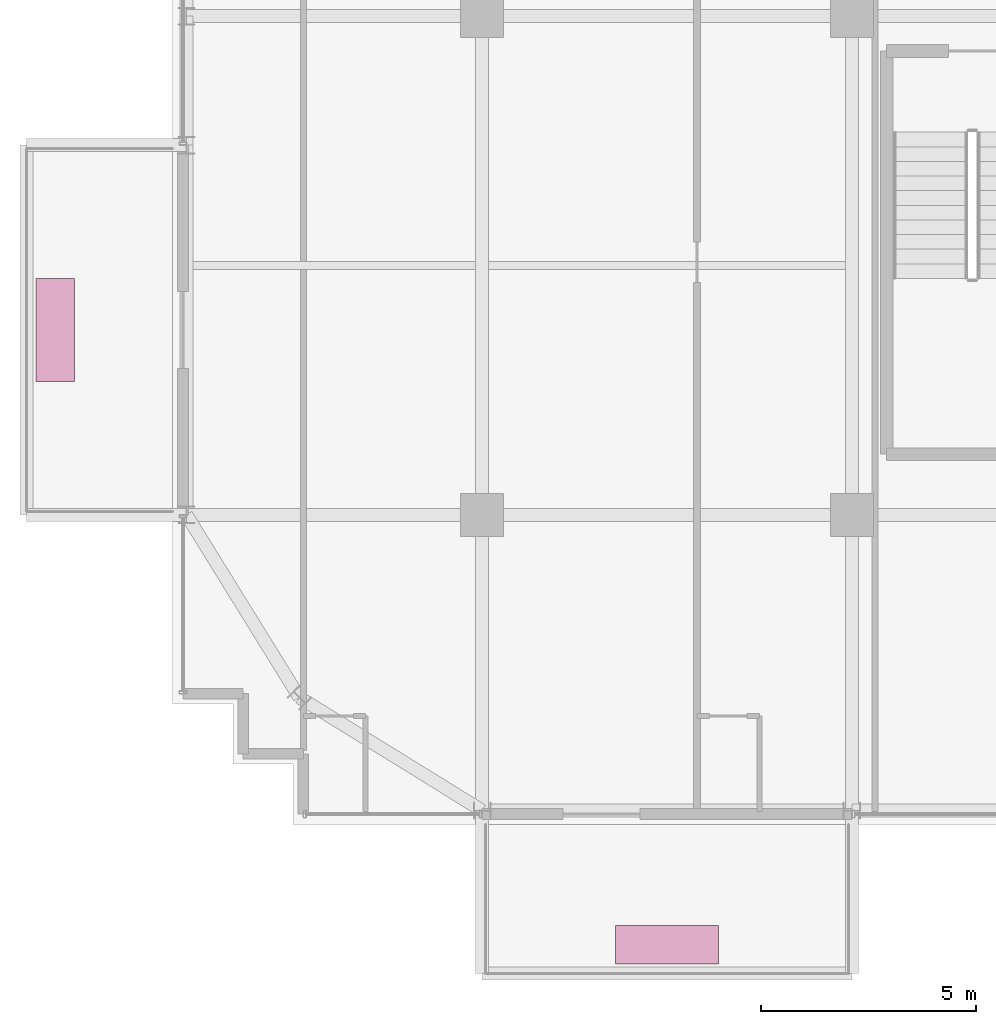
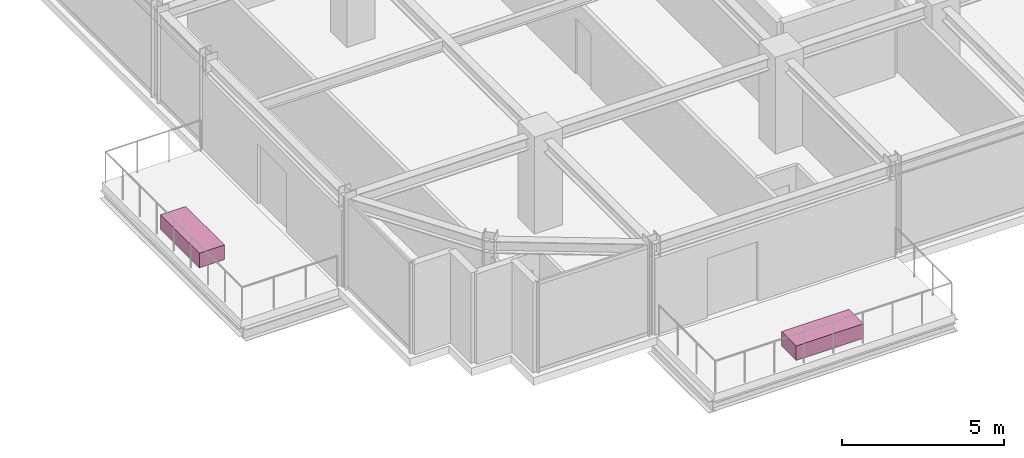
# One storey, part 35 of 35: 2 furnishings.
"""IFC4 building model written with IfcOpenShell, lengths in metres."""

import ifcopenshell
import ifcopenshell.guid

model = None  # the IFC model being written
_history = None  # IfcOwnerHistory: only IFC2X3 demands one
_inside = {}  # id of a spatial element -> (the spatial element, [elements in it])
_under = {}  # id of a project, library or spatial element -> (it, [spatial elements below it])
_declared = {}  # id of a project -> (the project, [libraries it declares])
_typed = {}  # id of a type object -> (the type object, [elements of that type])
_made_of = {}  # id of a material, layer set ... -> (it, [elements and type objects made of it])


def new_model(schema):
    """Start an empty IFC model of exactly this schema.

    Asked for "IFC4X3", IfcOpenShell would pick the latest addendum, in which some entities
    have other attributes; the version numbers below select the first issue.
    IFC2X3 requires an IfcOwnerHistory on every rooted entity: one is made here for all.
    """
    global model, _history
    if schema == "IFC4X3":
        model = ifcopenshell.file(schema_version=(4, 3, 0, 0))
    else:
        model = ifcopenshell.file(schema=schema)
    _inside.clear()
    _under.clear()
    _declared.clear()
    _typed.clear()
    _made_of.clear()
    _history = None
    if model.schema == "IFC2X3":
        org = make("IfcOrganization", Name="unknown")
        user = make(
            "IfcPersonAndOrganization",
            ThePerson=make("IfcPerson", FamilyName="unknown"),
            TheOrganization=org,
        )
        app = make(
            "IfcApplication",
            ApplicationDeveloper=org,
            Version="unknown",
            ApplicationFullName="unknown",
            ApplicationIdentifier="unknown",
        )
        _history = make(
            "IfcOwnerHistory",
            OwningUser=user,
            OwningApplication=app,
            ChangeAction="ADDED",
            CreationDate=0,
        )
    return model


def make(cls, **values):
    """One entity of the class cls with the attributes given. An attribute that is None is left unset."""
    return model.create_entity(
        cls, **{name: value for name, value in values.items() if value is not None}
    )


def rooted(cls, **values):
    """An entity with a GlobalId (a new one), such as an element, a storey or a relation."""
    return make(cls, GlobalId=ifcopenshell.guid.new(), OwnerHistory=_history, **values)


def si_unit(unit_type, name, prefix=None):
    """IfcSIUnit, for example si_unit("LENGTHUNIT", "METRE", prefix="MILLI")."""
    return make("IfcSIUnit", UnitType=unit_type, Prefix=prefix, Name=name)


def assignment(units):
    """IfcUnitAssignment: the units of a project."""
    return None if units is None else make("IfcUnitAssignment", Units=units)


def point(xyz):
    """IfcCartesianPoint."""
    return None if xyz is None else make("IfcCartesianPoint", Coordinates=xyz)


def direction(xyz):
    """IfcDirection."""
    return None if xyz is None else make("IfcDirection", DirectionRatios=xyz)


def frame(location, z_axis=None, x_axis=None):
    """IfcAxis2Placement3D, a coordinate frame: its origin and axes. An axis left out is left unset."""
    return make(
        "IfcAxis2Placement3D",
        Location=point(location),
        Axis=direction(z_axis),
        RefDirection=direction(x_axis),
    )


def frame_2d(location, x_axis=None):
    """IfcAxis2Placement2D, a coordinate frame in the plane: its origin and x axis."""
    return make(
        "IfcAxis2Placement2D", Location=point(location), RefDirection=direction(x_axis)
    )


def origin():
    """The frame at (0, 0, 0) with its axes left unset."""
    return frame((0.0, 0.0, 0.0))


def origin_2d():
    """The frame at (0, 0) in the plane with its x axis left unset."""
    return frame_2d((0.0, 0.0))


def place(relative_to, where):
    """IfcLocalPlacement: puts the frame where relative to a parent placement (None: the world)."""
    return make(
        "IfcLocalPlacement", PlacementRelTo=relative_to, RelativePlacement=where
    )


def context(
    kind, dimensions, precision=None, world=None, true_north=None, identifier=None
):
    """IfcGeometricRepresentationContext, for example the 3D "Model" context."""
    return make(
        "IfcGeometricRepresentationContext",
        ContextIdentifier=identifier,
        ContextType=kind,
        CoordinateSpaceDimension=dimensions,
        Precision=precision,
        WorldCoordinateSystem=world,
        TrueNorth=true_north,
    )


def subcontext(parent, identifier, kind, view, scale=None):
    """IfcGeometricRepresentationSubContext, for example "Body" below "Model"."""
    return make(
        "IfcGeometricRepresentationSubContext",
        ContextIdentifier=identifier,
        ContextType=kind,
        ParentContext=parent,
        TargetScale=scale,
        TargetView=view,
    )


def project(units=None, contexts=None):
    """IfcProject with its units and contexts."""
    return rooted(
        "IfcProject",
        Name="project",
        RepresentationContexts=contexts,
        UnitsInContext=assignment(units),
    )


def spatial(cls, under=None, at=None, **own):
    """A site, building, storey or space (cls), placed at a placement, below another one or the project."""
    s = rooted(cls, ObjectPlacement=at, **own)
    if under is not None:
        _under.setdefault(under.id(), (under, []))[1].append(s)
    return s


def profile(cls, at=None, kind="AREA", **sizes):
    """A parametric profile (cls). Its sizes go by their IFC names, for example OverallWidth=200.0."""
    return make(cls, ProfileType=kind, Position=at, **sizes)


def rectangle(**sizes):
    """IfcRectangleProfileDef."""
    return profile("IfcRectangleProfileDef", **sizes)


def extrude(swept, where, along, depth):
    """IfcExtrudedAreaSolid: the profile swept, set in the frame where, extruded along a direction by depth."""
    return make(
        "IfcExtrudedAreaSolid",
        SweptArea=swept,
        Position=where,
        ExtrudedDirection=direction(along),
        Depth=depth,
    )


def shape(context_of_items, identifier, shape_type, items):
    """IfcShapeRepresentation: the items that make up one representation, for example the "Body"."""
    return make(
        "IfcShapeRepresentation",
        ContextOfItems=context_of_items,
        RepresentationIdentifier=identifier,
        RepresentationType=shape_type,
        Items=items,
    )


def source(mapping_origin, context_of_items, identifier, shape_type, items):
    """IfcRepresentationMap: a shape defined once, which mapped items show again and again."""
    return make(
        "IfcRepresentationMap",
        MappingOrigin=mapping_origin,
        MappedRepresentation=shape(context_of_items, identifier, shape_type, items),
    )


def transform(
    local_origin,
    x_axis=None,
    y_axis=None,
    z_axis=None,
    scale=None,
    scale2=None,
    scale3=None,
    uniform=True,
):
    """IfcCartesianTransformationOperator3D, or its non-uniform kind. x_axis, y_axis, z_axis: its Axis1, 2, 3."""
    if uniform:
        return make(
            "IfcCartesianTransformationOperator3D",
            Axis1=direction(x_axis),
            Axis2=direction(y_axis),
            LocalOrigin=point(local_origin),
            Scale=scale,
            Axis3=direction(z_axis),
        )
    return make(
        "IfcCartesianTransformationOperator3DnonUniform",
        Axis1=direction(x_axis),
        Axis2=direction(y_axis),
        LocalOrigin=point(local_origin),
        Scale=scale,
        Axis3=direction(z_axis),
        Scale2=scale2,
        Scale3=scale3,
    )


def mapped(mapping_source, mapping_target):
    """IfcMappedItem: shows the shape of a source again, moved by a transform."""
    return make(
        "IfcMappedItem", MappingSource=mapping_source, MappingTarget=mapping_target
    )


def material(Name=None, Category=None):
    """IfcMaterial."""
    return make("IfcMaterial", Name=Name, Category=Category)


def made_of(thing, what):
    """Note that an element or type object is made of a material, layer set ...; save() writes the relation."""
    if what is not None:
        _made_of.setdefault(what.id(), (what, []))[1].append(thing)
    return thing


def type_object(cls, material=None, **own):
    """A type object (cls), such as IfcWallType, which elements share."""
    return made_of(rooted(cls, **own), material)


def element(
    cls,
    number,
    at=None,
    inside=None,
    cuts=None,
    type_object=None,
    material=None,
    context=None,
    identifier="Body",
    shape_type=None,
    held_by="IfcProductDefinitionShape",
    body=None,
    shapes=None,
    **own,
):
    """One element of the class cls, such as IfcWall. Its Tag is "e" and its number.

    at: its placement. inside: the storey or other place that contains it. cuts: it is an
    opening in that element (IfcRelVoidsElement). A single representation is given by context,
    identifier, shape_type and body (its items); several are given by shapes. held_by: the class
    of the entity that holds the representations. save() writes the other relations.
    """
    e = rooted(cls, Tag="e%d" % number, ObjectPlacement=at, **own)
    if body is not None:
        shapes = [shape(context, identifier, shape_type, body)]
    if shapes is not None:
        e.Representation = make(held_by, Representations=shapes)
    if inside is not None:
        _inside.setdefault(inside.id(), (inside, []))[1].append(e)
    if cuts is not None:
        rooted(
            "IfcRelVoidsElement", RelatingBuildingElement=cuts, RelatedOpeningElement=e
        )
    if type_object is not None:
        _typed.setdefault(type_object.id(), (type_object, []))[1].append(e)
    return made_of(e, material)


def aggregate(whole, parts):
    """IfcRelAggregates: a whole, such as a stair, and the parts it consists of."""
    return rooted("IfcRelAggregates", RelatingObject=whole, RelatedObjects=parts)


def save(model, path):
    """Write the relations noted so far, then the file.

    IfcRelAggregates (storeys below a building ...), IfcRelContainedInSpatialStructure (elements
    in a storey), IfcRelDefinesByType, IfcRelAssociatesMaterial and IfcRelDeclares: one each for
    every whole, place, type object, material and project.
    """
    for whole, parts in _under.values():
        aggregate(whole, parts)
    for where, things in _inside.values():
        rooted(
            "IfcRelContainedInSpatialStructure",
            RelatedElements=things,
            RelatingStructure=where,
        )
    for kind, things in _typed.values():
        rooted("IfcRelDefinesByType", RelatedObjects=things, RelatingType=kind)
    for what, things in _made_of.values():
        rooted("IfcRelAssociatesMaterial", RelatedObjects=things, RelatingMaterial=what)
    for by, libraries in _declared.values():
        rooted("IfcRelDeclares", RelatingContext=by, RelatedDefinitions=libraries)
    model.write(path)


model = new_model("IFC4")

# Units and contexts
model_context = context("Model", 3, precision=1e-05, world=origin(), true_north=direction((0.0, 1.0)))
body_context = subcontext(model_context, "Body", "Model", "MODEL_VIEW")
ifc_project = project(units=[si_unit("LENGTHUNIT", "METRE"), si_unit("AREAUNIT", "SQUARE_METRE"), si_unit("VOLUMEUNIT", "CUBIC_METRE"), si_unit("PLANEANGLEUNIT", "RADIAN"), si_unit("MASSUNIT", "GRAM", prefix="KILO")], contexts=[model_context])

# Site, building, storey
site_placement = place(None, origin())
site = spatial("IfcSite", under=ifc_project, at=site_placement, CompositionType="ELEMENT")
building_placement = place(site_placement, origin())
building = spatial("IfcBuilding", under=site, at=building_placement, Name="Nahalor Promenade Grand Hotel", CompositionType="ELEMENT")
storey_placement = place(building_placement, frame((0.0, 0.0, 216.0)))
storey = spatial("IfcBuildingStorey", under=building, at=storey_placement, Name="L55", CompositionType="ELEMENT", Elevation=216.0)

# Furnishings
ifc_material = material(Name="Vegetated Volcanic-Lapilli Tree Planter", Category="earth")
furnishing_element_type = type_object("IfcFurnishingElementType", Name="Planter-VerticalForest-Box", material=ifc_material)
shared_shape = source(origin(), body_context, "Body", "SweptSolid", [
    extrude(rectangle(XDim=2.39990234375, YDim=0.89990234375, at=origin_2d()), origin(), (0.0, 0.0, 1.0), 0.550048828125),
])
for number, where, z_axis, x_axis, name in (
    (1, (-12.699951171875, -27.0, 0.0), (0.0, 0.0, 1.0), (1.0, 0.0, 0.0), "L55 Balcony Structural Tree Planter 1"),
    (2, (-26.929931640625, -12.699951171875, 0.0), (0.0, 0.0, 1.0), (0.0, 1.0, 0.0), "L55 Balcony Structural Tree Planter 2"),
):
    element("IfcFurnishingElement", number, at=place(storey_placement, frame(where, z_axis=z_axis, x_axis=x_axis)), inside=storey, type_object=furnishing_element_type, Name=name, ObjectType="PLANTER", context=body_context, shape_type="MappedRepresentation", body=[
        mapped(shared_shape, transform((0.0, 0.0, 0.0), scale=1.0)),
    ])

save(model, "model.ifc")
